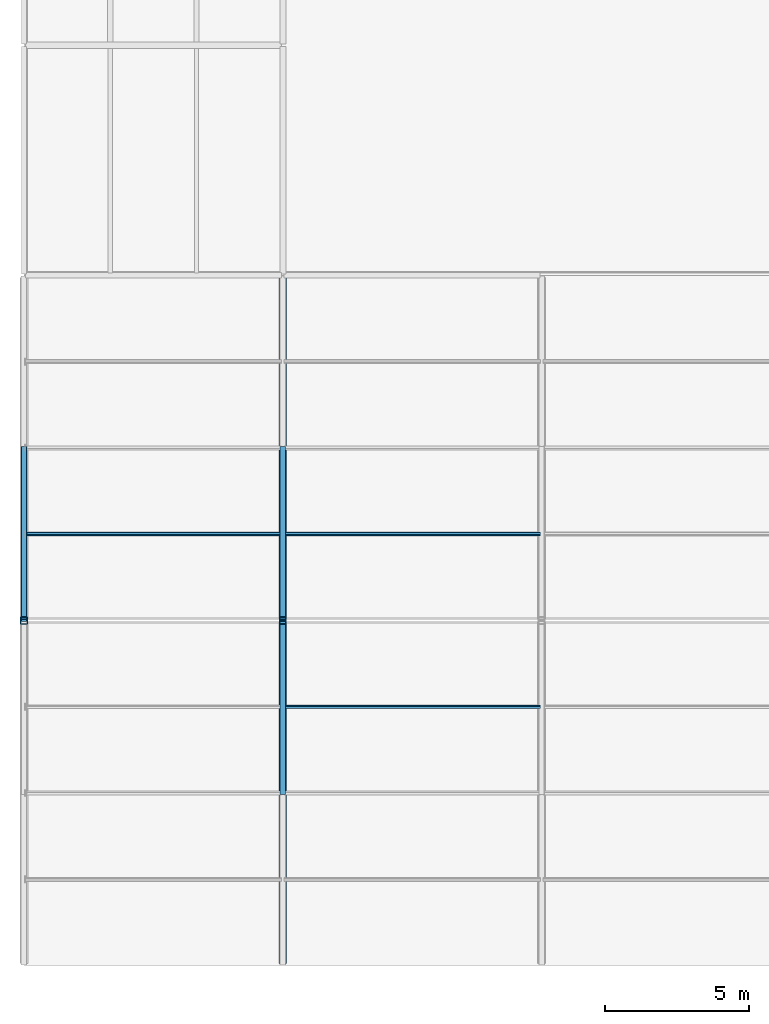
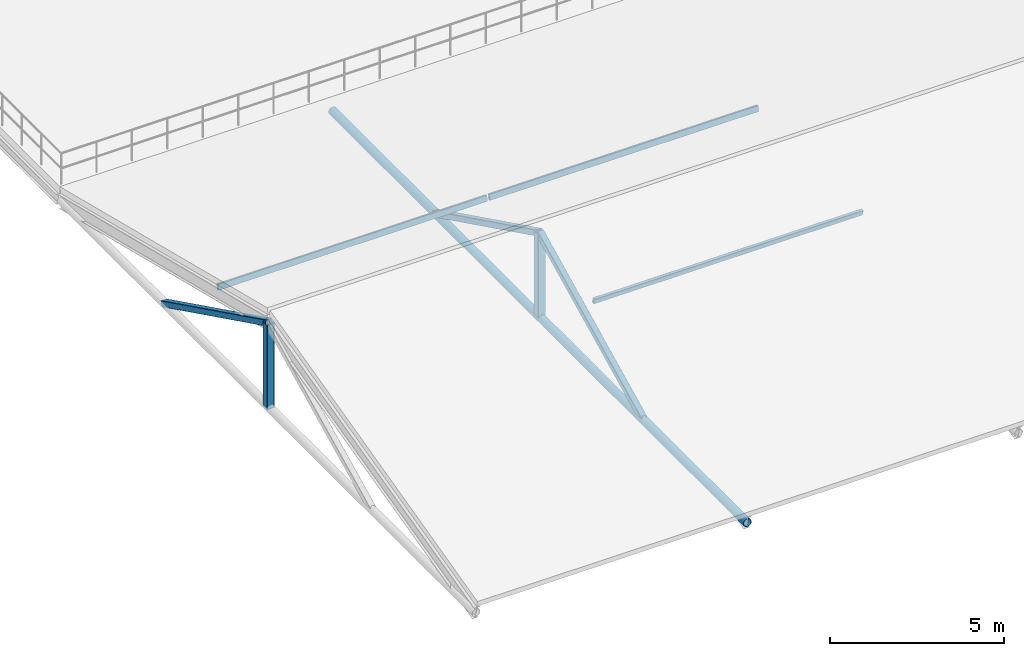
# One storey, part 6 of 54: 9 members.
"""IFC4 building model written with IfcOpenShell, lengths in metres."""

import ifcopenshell
import ifcopenshell.guid

model = None  # the IFC model being written
_history = None  # IfcOwnerHistory: only IFC2X3 demands one
_inside = {}  # id of a spatial element -> (the spatial element, [elements in it])
_under = {}  # id of a project, library or spatial element -> (it, [spatial elements below it])
_declared = {}  # id of a project -> (the project, [libraries it declares])
_typed = {}  # id of a type object -> (the type object, [elements of that type])
_made_of = {}  # id of a material, layer set ... -> (it, [elements and type objects made of it])


def new_model(schema):
    """Start an empty IFC model of exactly this schema.

    Asked for "IFC4X3", IfcOpenShell would pick the latest addendum, in which some entities
    have other attributes; the version numbers below select the first issue.
    IFC2X3 requires an IfcOwnerHistory on every rooted entity: one is made here for all.
    """
    global model, _history
    if schema == "IFC4X3":
        model = ifcopenshell.file(schema_version=(4, 3, 0, 0))
    else:
        model = ifcopenshell.file(schema=schema)
    _inside.clear()
    _under.clear()
    _declared.clear()
    _typed.clear()
    _made_of.clear()
    _history = None
    if model.schema == "IFC2X3":
        org = make("IfcOrganization", Name="unknown")
        user = make(
            "IfcPersonAndOrganization",
            ThePerson=make("IfcPerson", FamilyName="unknown"),
            TheOrganization=org,
        )
        app = make(
            "IfcApplication",
            ApplicationDeveloper=org,
            Version="unknown",
            ApplicationFullName="unknown",
            ApplicationIdentifier="unknown",
        )
        _history = make(
            "IfcOwnerHistory",
            OwningUser=user,
            OwningApplication=app,
            ChangeAction="ADDED",
            CreationDate=0,
        )
    return model


def make(cls, **values):
    """One entity of the class cls with the attributes given. An attribute that is None is left unset."""
    return model.create_entity(
        cls, **{name: value for name, value in values.items() if value is not None}
    )


def rooted(cls, **values):
    """An entity with a GlobalId (a new one), such as an element, a storey or a relation."""
    return make(cls, GlobalId=ifcopenshell.guid.new(), OwnerHistory=_history, **values)


def si_unit(unit_type, name, prefix=None):
    """IfcSIUnit, for example si_unit("LENGTHUNIT", "METRE", prefix="MILLI")."""
    return make("IfcSIUnit", UnitType=unit_type, Prefix=prefix, Name=name)


def assignment(units):
    """IfcUnitAssignment: the units of a project."""
    return None if units is None else make("IfcUnitAssignment", Units=units)


def point(xyz):
    """IfcCartesianPoint."""
    return None if xyz is None else make("IfcCartesianPoint", Coordinates=xyz)


def direction(xyz):
    """IfcDirection."""
    return None if xyz is None else make("IfcDirection", DirectionRatios=xyz)


def frame(location, z_axis=None, x_axis=None):
    """IfcAxis2Placement3D, a coordinate frame: its origin and axes. An axis left out is left unset."""
    return make(
        "IfcAxis2Placement3D",
        Location=point(location),
        Axis=direction(z_axis),
        RefDirection=direction(x_axis),
    )


def frame_2d(location, x_axis=None):
    """IfcAxis2Placement2D, a coordinate frame in the plane: its origin and x axis."""
    return make(
        "IfcAxis2Placement2D", Location=point(location), RefDirection=direction(x_axis)
    )


def origin():
    """The frame at (0, 0, 0) with its axes left unset."""
    return frame((0.0, 0.0, 0.0))


def origin_2d():
    """The frame at (0, 0) in the plane with its x axis left unset."""
    return frame_2d((0.0, 0.0))


def place(relative_to, where):
    """IfcLocalPlacement: puts the frame where relative to a parent placement (None: the world)."""
    return make(
        "IfcLocalPlacement", PlacementRelTo=relative_to, RelativePlacement=where
    )


def context(
    kind, dimensions, precision=None, world=None, true_north=None, identifier=None
):
    """IfcGeometricRepresentationContext, for example the 3D "Model" context."""
    return make(
        "IfcGeometricRepresentationContext",
        ContextIdentifier=identifier,
        ContextType=kind,
        CoordinateSpaceDimension=dimensions,
        Precision=precision,
        WorldCoordinateSystem=world,
        TrueNorth=true_north,
    )


def subcontext(parent, identifier, kind, view, scale=None):
    """IfcGeometricRepresentationSubContext, for example "Body" below "Model"."""
    return make(
        "IfcGeometricRepresentationSubContext",
        ContextIdentifier=identifier,
        ContextType=kind,
        ParentContext=parent,
        TargetScale=scale,
        TargetView=view,
    )


def project(units=None, contexts=None):
    """IfcProject with its units and contexts."""
    return rooted(
        "IfcProject",
        Name="project",
        RepresentationContexts=contexts,
        UnitsInContext=assignment(units),
    )


def spatial(cls, under=None, at=None, **own):
    """A site, building, storey or space (cls), placed at a placement, below another one or the project."""
    s = rooted(cls, ObjectPlacement=at, **own)
    if under is not None:
        _under.setdefault(under.id(), (under, []))[1].append(s)
    return s


def profile(cls, at=None, kind="AREA", **sizes):
    """A parametric profile (cls). Its sizes go by their IFC names, for example OverallWidth=200.0."""
    return make(cls, ProfileType=kind, Position=at, **sizes)


def hollow_rectangle(**sizes):
    """IfcRectangleHollowProfileDef."""
    return profile("IfcRectangleHollowProfileDef", **sizes)


def hollow_circle(**sizes):
    """IfcCircleHollowProfileDef."""
    return profile("IfcCircleHollowProfileDef", **sizes)


def extrude(swept, where, along, depth):
    """IfcExtrudedAreaSolid: the profile swept, set in the frame where, extruded along a direction by depth."""
    return make(
        "IfcExtrudedAreaSolid",
        SweptArea=swept,
        Position=where,
        ExtrudedDirection=direction(along),
        Depth=depth,
    )


def shape(context_of_items, identifier, shape_type, items):
    """IfcShapeRepresentation: the items that make up one representation, for example the "Body"."""
    return make(
        "IfcShapeRepresentation",
        ContextOfItems=context_of_items,
        RepresentationIdentifier=identifier,
        RepresentationType=shape_type,
        Items=items,
    )


def material(Name=None, Category=None):
    """IfcMaterial."""
    return make("IfcMaterial", Name=Name, Category=Category)


def material_profile(
    of_material, cross_section, Name=None, Category=None, Priority=None
):
    """IfcMaterialProfile: a cross section and its material."""
    return make(
        "IfcMaterialProfile",
        Name=Name,
        Material=of_material,
        Profile=cross_section,
        Priority=Priority,
        Category=Category,
    )


def profile_set(profiles, Name=None, composite=None):
    """IfcMaterialProfileSet."""
    return make(
        "IfcMaterialProfileSet",
        Name=Name,
        MaterialProfiles=profiles,
        CompositeProfile=composite,
    )


def made_of(thing, what):
    """Note that an element or type object is made of a material, layer set ...; save() writes the relation."""
    if what is not None:
        _made_of.setdefault(what.id(), (what, []))[1].append(thing)
    return thing


def type_object(cls, material=None, **own):
    """A type object (cls), such as IfcWallType, which elements share."""
    return made_of(rooted(cls, **own), material)


def element(
    cls,
    number,
    at=None,
    inside=None,
    cuts=None,
    type_object=None,
    material=None,
    context=None,
    identifier="Body",
    shape_type=None,
    held_by="IfcProductDefinitionShape",
    body=None,
    shapes=None,
    **own,
):
    """One element of the class cls, such as IfcWall. Its Tag is "e" and its number.

    at: its placement. inside: the storey or other place that contains it. cuts: it is an
    opening in that element (IfcRelVoidsElement). A single representation is given by context,
    identifier, shape_type and body (its items); several are given by shapes. held_by: the class
    of the entity that holds the representations. save() writes the other relations.
    """
    e = rooted(cls, Tag="e%d" % number, ObjectPlacement=at, **own)
    if body is not None:
        shapes = [shape(context, identifier, shape_type, body)]
    if shapes is not None:
        e.Representation = make(held_by, Representations=shapes)
    if inside is not None:
        _inside.setdefault(inside.id(), (inside, []))[1].append(e)
    if cuts is not None:
        rooted(
            "IfcRelVoidsElement", RelatingBuildingElement=cuts, RelatedOpeningElement=e
        )
    if type_object is not None:
        _typed.setdefault(type_object.id(), (type_object, []))[1].append(e)
    return made_of(e, material)


def aggregate(whole, parts):
    """IfcRelAggregates: a whole, such as a stair, and the parts it consists of."""
    return rooted("IfcRelAggregates", RelatingObject=whole, RelatedObjects=parts)


def save(model, path):
    """Write the relations noted so far, then the file.

    IfcRelAggregates (storeys below a building ...), IfcRelContainedInSpatialStructure (elements
    in a storey), IfcRelDefinesByType, IfcRelAssociatesMaterial and IfcRelDeclares: one each for
    every whole, place, type object, material and project.
    """
    for whole, parts in _under.values():
        aggregate(whole, parts)
    for where, things in _inside.values():
        rooted(
            "IfcRelContainedInSpatialStructure",
            RelatedElements=things,
            RelatingStructure=where,
        )
    for kind, things in _typed.values():
        rooted("IfcRelDefinesByType", RelatedObjects=things, RelatingType=kind)
    for what, things in _made_of.values():
        rooted("IfcRelAssociatesMaterial", RelatedObjects=things, RelatingMaterial=what)
    for by, libraries in _declared.values():
        rooted("IfcRelDeclares", RelatingContext=by, RelatedDefinitions=libraries)
    model.write(path)


model = new_model("IFC4")

# Units and contexts
model_context = context("Model", 3, precision=1e-05, world=origin(), true_north=direction((0.0, 1.0)))
body_context = subcontext(model_context, "Body", "Model", "MODEL_VIEW")
ifc_project = project(units=[si_unit("LENGTHUNIT", "METRE"), si_unit("AREAUNIT", "SQUARE_METRE"), si_unit("VOLUMEUNIT", "CUBIC_METRE"), si_unit("PLANEANGLEUNIT", "RADIAN"), si_unit("MASSUNIT", "GRAM", prefix="KILO")], contexts=[model_context])

# Site, building, storey
site_placement = place(None, origin())
site = spatial("IfcSite", under=ifc_project, at=site_placement, CompositionType="ELEMENT")
building_placement = place(site_placement, origin())
building = spatial("IfcBuilding", under=site, at=building_placement, Name="Marnock Terrace Opera House", CompositionType="ELEMENT")
storey_placement = place(building_placement, frame((0.0, 0.0, 19.199951171875)))
storey = spatial("IfcBuildingStorey", under=building, at=storey_placement, Name="L04", CompositionType="ELEMENT", Elevation=19.199951171875)

# Members
ifc_material = material(Name="Cold-formed Steel Grade C350L0 (AS/NZS 1163)", Category="steel")
ifc_material_profile_1 = material_profile(ifc_material, hollow_rectangle(XDim=0.10009765625, YDim=0.199951171875, WallThickness=0.008056640625, InnerFilletRadius=0.008056640625, OuterFilletRadius=0.01611328125, at=origin_2d()))
ifc_profile_set_1 = profile_set([ifc_material_profile_1], Name="Cold-formed Steel Grade C350L0 (AS/NZS 1163)")
member_type_1 = type_object("IfcMemberType", Name="MEM-ROOF-PURL", PredefinedType="PURLIN", material=ifc_profile_set_1)
for number, where, z_axis, x_axis, name in (
    (1, (9.0400390625, 17.0, 1.928466796875), (1.0, 0.0, 0.0), (0.0, 0.970142684147, 0.242534889029), "Rehearsal Wing roof purlin Y=17 bay 2"),
    (2, (0.0400390625, 23.0, 1.928466796875), (1.0, 0.0, 0.0), (0.0, 0.970142684147, -0.242534889029), "Rehearsal Wing roof purlin Y=23 bay 1"),
    (3, (9.0400390625, 23.0, 1.928466796875), (1.0, 0.0, 0.0), (0.0, 0.970142684147, -0.242534889029), "Rehearsal Wing roof purlin Y=23 bay 2"),
):
    element("IfcMember", number, at=place(storey_placement, frame(where, z_axis=z_axis, x_axis=x_axis)), inside=storey, type_object=member_type_1, Name=name, PredefinedType="PURLIN", context=body_context, shape_type="SweptSolid", body=[
        extrude(hollow_rectangle(XDim=0.10009765625, YDim=0.199951171875, WallThickness=0.008056640625, InnerFilletRadius=0.008056640625, OuterFilletRadius=0.01611328125, at=origin_2d()), origin(), (0.0, 0.0, 1.0), 8.919921875),
    ])
ifc_material_profile_2 = material_profile(ifc_material, hollow_rectangle(XDim=0.25, YDim=0.25, WallThickness=0.010009765625, InnerFilletRadius=0.010009765625, OuterFilletRadius=0.02001953125, at=origin_2d()))
ifc_profile_set_2 = profile_set([ifc_material_profile_2], Name="Cold-formed Steel Grade C350L0 (AS/NZS 1163)")
member_type_2 = type_object("IfcMemberType", Name="MEM-TRUSS-WEB1", PredefinedType="STRUT", material=ifc_profile_set_2)
for number, where, z_axis, x_axis, name in (
    (4, (0.0, 20.0, -0.435546875), (0.0, 0.0, 1.0), (1.0, 0.0, 0.0), "Rehearsal Wing roof truss king post"),
    (5, (9.0, 20.0, -0.435546875), (0.0, 0.0, 1.0), (1.0, 0.0, 0.0), "Rehearsal Wing roof truss king post"),
):
    element("IfcMember", number, at=place(storey_placement, frame(where, z_axis=z_axis, x_axis=x_axis)), inside=storey, type_object=member_type_2, Name=name, PredefinedType="STRUT", context=body_context, shape_type="SweptSolid", body=[
        extrude(hollow_rectangle(XDim=0.25, YDim=0.25, WallThickness=0.010009765625, InnerFilletRadius=0.010009765625, OuterFilletRadius=0.02001953125, at=origin_2d()), origin(), (0.0, 0.0, 1.0), 2.960205078125),
    ])
ifc_material_profile_3 = material_profile(ifc_material, hollow_rectangle(XDim=0.199951171875, YDim=0.199951171875, WallThickness=0.009033203125, InnerFilletRadius=0.009033203125, OuterFilletRadius=0.01806640625, at=origin_2d()))
ifc_profile_set_3 = profile_set([ifc_material_profile_3], Name="Cold-formed Steel Grade C350L0 (AS/NZS 1163)")
member_type_3 = type_object("IfcMemberType", Name="MEM-TRUSS-WEB2", PredefinedType="BRACE", material=ifc_profile_set_3)
for number, where, z_axis, x_axis, name in (
    (6, (0.0, 26.0, -0.435546875), (0.0, -0.896793722632, 0.442448888628), (1.0, 0.0, 0.0), "Rehearsal Wing roof truss diagonal N"),
    (7, (9.0, 14.0, -0.435546875), (0.0, 0.896793722632, 0.442448888628), (-1.0, 0.0, 0.0), "Rehearsal Wing roof truss diagonal S"),
    (8, (9.0, 26.0, -0.435546875), (0.0, -0.896793722632, 0.442448888628), (1.0, 0.0, 0.0), "Rehearsal Wing roof truss diagonal N"),
):
    element("IfcMember", number, at=place(storey_placement, frame(where, z_axis=z_axis, x_axis=x_axis)), inside=storey, type_object=member_type_3, Name=name, PredefinedType="BRACE", context=body_context, shape_type="SweptSolid", body=[
        extrude(hollow_rectangle(XDim=0.199951171875, YDim=0.199951171875, WallThickness=0.009033203125, InnerFilletRadius=0.009033203125, OuterFilletRadius=0.01806640625, at=origin_2d()), origin(), (0.0, 0.0, 1.0), 6.6904296875),
    ])
ifc_material_profile_4 = material_profile(ifc_material, hollow_circle(Radius=0.136474609375, WallThickness=0.00927734375, at=origin_2d()))
ifc_profile_set_4 = profile_set([ifc_material_profile_4], Name="Cold-formed Steel Grade C350L0 (AS/NZS 1163)")
member_type_4 = type_object("IfcMemberType", Name="MEM-VAULT-TIE", PredefinedType="COLLAR", material=ifc_profile_set_4)
member_placement = place(storey_placement, frame((9.0, 8.080078125, -0.435546875), z_axis=(0.0, 1.0, 0.0), x_axis=(-1.0, 0.0, 0.0)))
element("IfcMember", 9, at=member_placement, inside=storey, type_object=member_type_4, Name="Rehearsal Wing roof truss tie chord", PredefinedType="COLLAR", context=body_context, shape_type="SweptSolid", body=[
    extrude(hollow_circle(Radius=0.136474609375, WallThickness=0.00927734375, at=origin_2d()), origin(), (0.0, 0.0, 1.0), 23.83984375),
])

save(model, "model.ifc")
